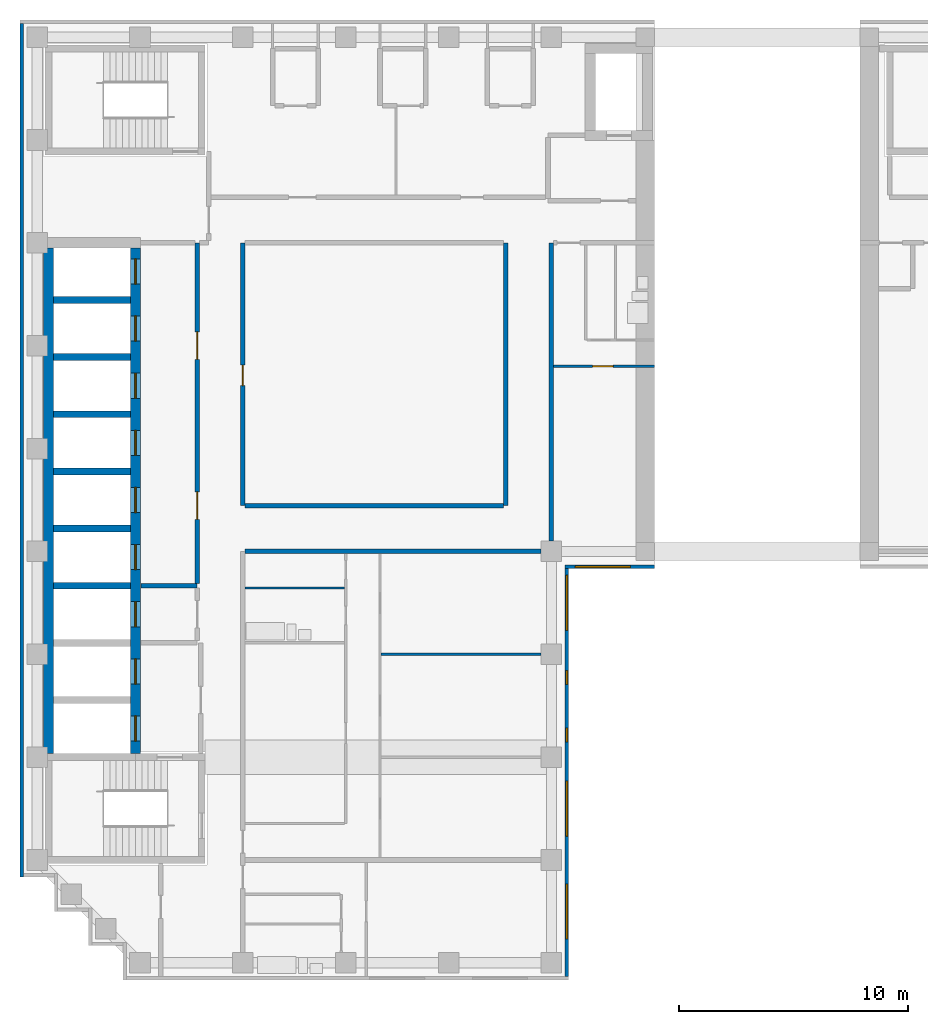
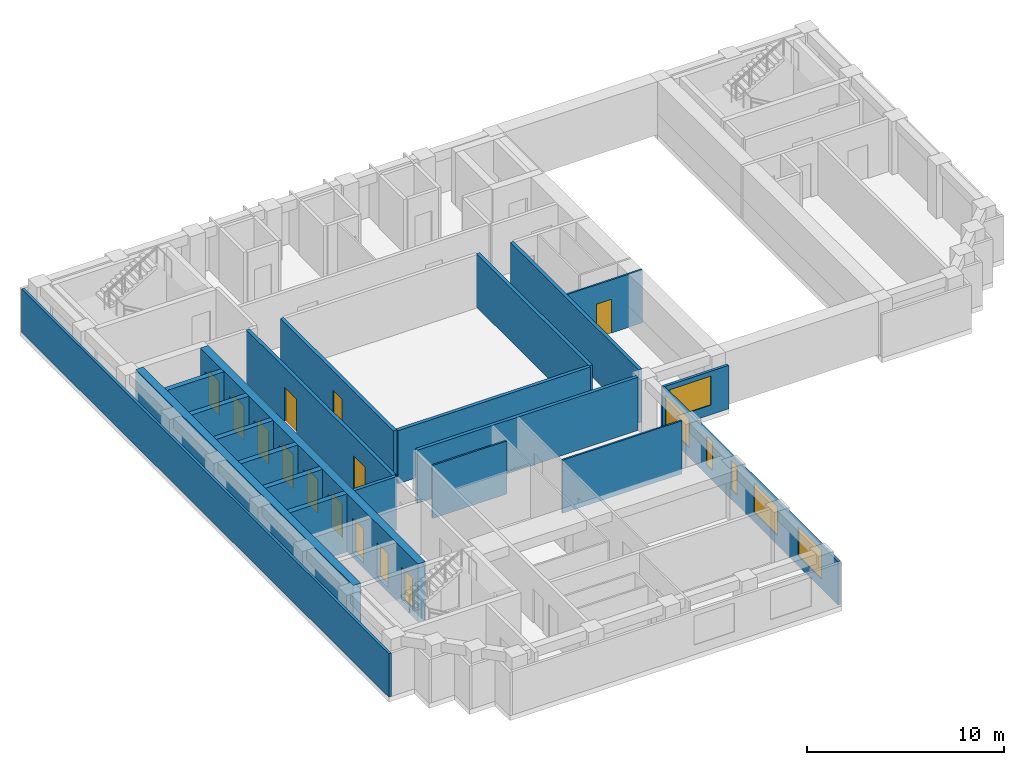
# One storey, part 3 of 7: 21 walls, 13 doors, 6 windows, 19 openings.
"""IFC4 building model written with IfcOpenShell, lengths in metres."""

from ifc_helpers import new_model, si_unit, direction, frame, frame_2d, origin, place, context, subcontext, project, spatial, rectangle, extrude, material, layer, layer_set, type_object, element, fill, save


model = new_model("IFC4")

# Units and contexts
model_context = context("Model", 3, precision=1e-05, world=origin(), true_north=direction((0.0, 1.0)))
body_context = subcontext(model_context, "Body", "Model", "MODEL_VIEW")
ifc_project = project(units=[si_unit("LENGTHUNIT", "METRE"), si_unit("AREAUNIT", "SQUARE_METRE"), si_unit("VOLUMEUNIT", "CUBIC_METRE"), si_unit("PLANEANGLEUNIT", "RADIAN"), si_unit("MASSUNIT", "GRAM", prefix="KILO")], contexts=[model_context])

# Site, building, storey
site_placement = place(None, origin())
site = spatial("IfcSite", under=ifc_project, at=site_placement, CompositionType="ELEMENT")
building_placement = place(site_placement, origin())
building = spatial("IfcBuilding", under=site, at=building_placement, Name="Firuza Court", CompositionType="ELEMENT")
storey_placement = place(building_placement, frame((0.0, 0.0, 247.39990234375)))
storey = spatial("IfcBuildingStorey", under=building, at=storey_placement, Name="L64", CompositionType="ELEMENT", Elevation=247.39990234375)

# Walls
ifc_material_1 = material(Name="Moisture-resistant gypsum board partition")
ifc_layer_1 = layer(ifc_material_1, 0.10009765625)
ifc_layer_set_1 = layer_set([ifc_layer_1], Name="Moisture-resistant gypsum board partition")
wall_type_1 = type_object("IfcWallType", Name="Bathroom partition 100", PredefinedType="PLUMBINGWALL", material=ifc_layer_set_1)
wall_1_placement = place(storey_placement, frame((9.10009765625, 34.39990234375, 0.0), z_axis=(0.0, 0.0, 1.0), x_axis=(1.0, 0.0, 0.0)))
element("IfcWall", 1, at=wall_1_placement, inside=storey, type_object=wall_type_1, Name="Bathroom partition 100 L64", PredefinedType="PLUMBINGWALL", context=body_context, shape_type="SweptSolid", body=[
    extrude(rectangle(XDim=4.349853515625, YDim=0.10009765625, at=frame_2d((2.1748046875, 0.0))), origin(), (0.0, 0.0, 1.0), 3.300048828125),
])
ifc_material_2 = material(Name="Concrete C50/60", Category="concrete")
ifc_layer_2 = layer(ifc_material_2, 0.300048828125)
ifc_layer_set_2 = layer_set([ifc_layer_2], Name="Concrete C50/60")
wall_type_2 = type_object("IfcWallType", Name="Core wall 300 C50/60", PredefinedType="SHEAR", material=ifc_layer_set_2)
for number, where, z_axis, x_axis, name in (
    (2, (0.72509765625, 34.5, -0.2998046875), (0.0, 0.0, 1.0), (1.0, 0.0, 0.0), "Core wall lift shaft L64"),
    (3, (0.72509765625, 37.0, -0.2998046875), (0.0, 0.0, 1.0), (1.0, 0.0, 0.0), "Core wall lift shaft L64"),
    (4, (0.72509765625, 39.5, -0.2998046875), (0.0, 0.0, 1.0), (1.0, 0.0, 0.0), "Core wall lift shaft L64"),
    (5, (0.72509765625, 42.0, -0.2998046875), (0.0, 0.0, 1.0), (1.0, 0.0, 0.0), "Core wall lift shaft L64"),
    (6, (0.72509765625, 44.5, -0.2998046875), (0.0, 0.0, 1.0), (1.0, 0.0, 0.0), "Core wall lift shaft L64"),
    (7, (0.72509765625, 47.0, -0.2998046875), (0.0, 0.0, 1.0), (1.0, 0.0, 0.0), "Core wall lift shaft L64"),
):
    element("IfcWall", number, at=place(storey_placement, frame(where, z_axis=z_axis, x_axis=x_axis)), inside=storey, type_object=wall_type_2, Name=name, PredefinedType="SHEAR", context=body_context, shape_type="SweptSolid", body=[
        extrude(rectangle(XDim=3.349853515625, YDim=0.300048828125, at=frame_2d((1.6748046875, 0.0))), origin(), (0.0, 0.0, 1.0), 3.599853515625),
    ])
ifc_layer_3 = layer(ifc_material_2, 0.449951171875)
ifc_layer_set_3 = layer_set([ifc_layer_3], Name="Concrete C50/60")
wall_type_3 = type_object("IfcWallType", Name="Core wall 450 C50/60", PredefinedType="SHEAR", material=ifc_layer_set_3)
wall_2_placement = place(storey_placement, frame((0.5, 27.14990234375, -0.2998046875), z_axis=(0.0, 0.0, 1.0), x_axis=(0.0, 1.0, 0.0)))
element("IfcWall", 8, at=wall_2_placement, inside=storey, type_object=wall_type_3, Name="Core wall lift shaft L64", PredefinedType="SHEAR", context=body_context, shape_type="SweptSolid", body=[
    extrude(rectangle(XDim=22.125, YDim=0.449951171875, at=frame_2d((11.0625, 0.0))), origin(), (0.0, 0.0, 1.0), 3.599853515625),
])

# Wall, openings, doors
wall_3_placement = place(storey_placement, frame((4.300048828125, 27.14990234375, -0.2998046875), z_axis=(0.0, 0.0, 1.0), x_axis=(0.0, 1.0, 0.0)))
wall_3 = element("IfcWall", 9, at=wall_3_placement, inside=storey, type_object=wall_type_3, Name="Core wall lift shaft L64", PredefinedType="SHEAR", context=body_context, shape_type="SweptSolid", body=[
    extrude(rectangle(XDim=22.125, YDim=0.449951171875, at=frame_2d((11.0625, 0.0))), origin(), (0.0, 0.0, 1.0), 3.599853515625),
])
opening_1_placement = place(wall_3_placement, frame((3.050048828125, 0.0, 0.300048828125)))
opening_1 = element("IfcOpeningElement", 10, at=opening_1_placement, cuts=wall_3, Name="Opening LD-FL1-64", PredefinedType="OPENING", context=body_context, shape_type="SweptSolid", body=[
    extrude(rectangle(XDim=1.10009765625, YDim=2.10009765625, at=frame_2d((0.550048828125, 1.050048828125))), frame((0.0, 0.23681640625, 0.0), z_axis=(0.0, -1.0, 0.0), x_axis=(1.0, 0.0, 0.0)), (0.0, 0.0, 1.0), 0.473876953125),
])
opening_2_placement = place(wall_3_placement, frame((0.550048828125, 0.0, 0.300048828125)))
opening_2 = element("IfcOpeningElement", 11, at=opening_2_placement, cuts=wall_3, Name="Opening LD-FL2-64", PredefinedType="OPENING", context=body_context, shape_type="SweptSolid", body=[
    extrude(rectangle(XDim=1.10009765625, YDim=2.10009765625, at=frame_2d((0.550048828125, 1.050048828125))), frame((0.0, 0.23681640625, 0.0), z_axis=(0.0, -1.0, 0.0), x_axis=(1.0, 0.0, 0.0)), (0.0, 0.0, 1.0), 0.473876953125),
])
opening_3_placement = place(wall_3_placement, frame((20.550048828125, 0.0, 0.300048828125)))
opening_3 = element("IfcOpeningElement", 12, at=opening_3_placement, cuts=wall_3, Name="Opening LD-HB1-64", PredefinedType="OPENING", context=body_context, shape_type="SweptSolid", body=[
    extrude(rectangle(XDim=1.10009765625, YDim=2.10009765625, at=frame_2d((0.550048828125, 1.050048828125))), frame((0.0, 0.23681640625, 0.0), z_axis=(0.0, -1.0, 0.0), x_axis=(1.0, 0.0, 0.0)), (0.0, 0.0, 1.0), 0.473876953125),
])
opening_4_placement = place(wall_3_placement, frame((18.050048828125, 0.0, 0.300048828125)))
opening_4 = element("IfcOpeningElement", 13, at=opening_4_placement, cuts=wall_3, Name="Opening LD-HB2-64", PredefinedType="OPENING", context=body_context, shape_type="SweptSolid", body=[
    extrude(rectangle(XDim=1.10009765625, YDim=2.10009765625, at=frame_2d((0.550048828125, 1.050048828125))), frame((0.0, 0.23681640625, 0.0), z_axis=(0.0, -1.0, 0.0), x_axis=(1.0, 0.0, 0.0)), (0.0, 0.0, 1.0), 0.473876953125),
])
opening_5_placement = place(wall_3_placement, frame((15.550048828125, 0.0, 0.300048828125)))
opening_5 = element("IfcOpeningElement", 14, at=opening_5_placement, cuts=wall_3, Name="Opening LD-HB3-64", PredefinedType="OPENING", context=body_context, shape_type="SweptSolid", body=[
    extrude(rectangle(XDim=1.10009765625, YDim=2.10009765625, at=frame_2d((0.550048828125, 1.050048828125))), frame((0.0, 0.23681640625, 0.0), z_axis=(0.0, -1.0, 0.0), x_axis=(1.0, 0.0, 0.0)), (0.0, 0.0, 1.0), 0.473876953125),
])
opening_6_placement = place(wall_3_placement, frame((13.050048828125, 0.0, 0.300048828125)))
opening_6 = element("IfcOpeningElement", 15, at=opening_6_placement, cuts=wall_3, Name="Opening LD-HB4-64", PredefinedType="OPENING", context=body_context, shape_type="SweptSolid", body=[
    extrude(rectangle(XDim=1.10009765625, YDim=2.10009765625, at=frame_2d((0.550048828125, 1.050048828125))), frame((0.0, 0.23681640625, 0.0), z_axis=(0.0, -1.0, 0.0), x_axis=(1.0, 0.0, 0.0)), (0.0, 0.0, 1.0), 0.473876953125),
])
opening_7_placement = place(wall_3_placement, frame((10.550048828125, 0.0, 0.300048828125)))
opening_7 = element("IfcOpeningElement", 16, at=opening_7_placement, cuts=wall_3, Name="Opening LD-HB5-64", PredefinedType="OPENING", context=body_context, shape_type="SweptSolid", body=[
    extrude(rectangle(XDim=1.10009765625, YDim=2.10009765625, at=frame_2d((0.550048828125, 1.050048828125))), frame((0.0, 0.23681640625, 0.0), z_axis=(0.0, -1.0, 0.0), x_axis=(1.0, 0.0, 0.0)), (0.0, 0.0, 1.0), 0.473876953125),
])
opening_8_placement = place(wall_3_placement, frame((8.050048828125, 0.0, 0.300048828125)))
opening_8 = element("IfcOpeningElement", 17, at=opening_8_placement, cuts=wall_3, Name="Opening LD-HB6-64", PredefinedType="OPENING", context=body_context, shape_type="SweptSolid", body=[
    extrude(rectangle(XDim=1.10009765625, YDim=2.10009765625, at=frame_2d((0.550048828125, 1.050048828125))), frame((0.0, 0.23681640625, 0.0), z_axis=(0.0, -1.0, 0.0), x_axis=(1.0, 0.0, 0.0)), (0.0, 0.0, 1.0), 0.473876953125),
])
opening_9_placement = place(wall_3_placement, frame((5.550048828125, 0.0, 0.300048828125)))
opening_9 = element("IfcOpeningElement", 18, at=opening_9_placement, cuts=wall_3, Name="Opening LD-SL1-64", PredefinedType="OPENING", context=body_context, shape_type="SweptSolid", body=[
    extrude(rectangle(XDim=1.10009765625, YDim=2.10009765625, at=frame_2d((0.550048828125, 1.050048828125))), frame((0.0, 0.23681640625, 0.0), z_axis=(0.0, -1.0, 0.0), x_axis=(1.0, 0.0, 0.0)), (0.0, 0.0, 1.0), 0.473876953125),
])
ifc_material_3 = material(Name="Stainless steel 1.4301 door leaf", Category="steel")
door_type_1 = type_object("IfcDoorType", Name="Lift landing door 1100", OperationType="SLIDING_TO_LEFT", PredefinedType="DOOR", material=ifc_material_3)
door_1_placement = place(opening_1_placement, origin())
door_1 = element("IfcDoor", 19, at=door_1_placement, inside=storey, type_object=door_type_1, Name="Landing door FL1", OperationType="SLIDING_TO_LEFT", OverallHeight=2.10009765625, OverallWidth=1.10009765625, PredefinedType="DOOR", context=body_context, shape_type="SweptSolid", body=[
    extrude(rectangle(XDim=1.10009765625, YDim=2.10009765625, at=frame_2d((0.550048828125, 1.050048828125))), frame((0.0, 0.02490234375, 0.0), z_axis=(0.0, -1.0, 0.0), x_axis=(1.0, 0.0, 0.0)), (0.0, 0.0, 1.0), 0.050048828125),
])
fill(opening_1, door_1)
door_2_placement = place(opening_2_placement, origin())
door_2 = element("IfcDoor", 20, at=door_2_placement, inside=storey, type_object=door_type_1, Name="Landing door FL2", OperationType="SLIDING_TO_LEFT", OverallHeight=2.10009765625, OverallWidth=1.10009765625, PredefinedType="DOOR", context=body_context, shape_type="SweptSolid", body=[
    extrude(rectangle(XDim=1.10009765625, YDim=2.10009765625, at=frame_2d((0.550048828125, 1.050048828125))), frame((0.0, 0.02490234375, 0.0), z_axis=(0.0, -1.0, 0.0), x_axis=(1.0, 0.0, 0.0)), (0.0, 0.0, 1.0), 0.050048828125),
])
fill(opening_2, door_2)
door_3_placement = place(opening_3_placement, origin())
door_3 = element("IfcDoor", 21, at=door_3_placement, inside=storey, type_object=door_type_1, Name="Landing door HB1", OperationType="SLIDING_TO_LEFT", OverallHeight=2.10009765625, OverallWidth=1.10009765625, PredefinedType="DOOR", context=body_context, shape_type="SweptSolid", body=[
    extrude(rectangle(XDim=1.10009765625, YDim=2.10009765625, at=frame_2d((0.550048828125, 1.050048828125))), frame((0.0, 0.02490234375, 0.0), z_axis=(0.0, -1.0, 0.0), x_axis=(1.0, 0.0, 0.0)), (0.0, 0.0, 1.0), 0.050048828125),
])
fill(opening_3, door_3)
door_4_placement = place(opening_4_placement, origin())
door_4 = element("IfcDoor", 22, at=door_4_placement, inside=storey, type_object=door_type_1, Name="Landing door HB2", OperationType="SLIDING_TO_LEFT", OverallHeight=2.10009765625, OverallWidth=1.10009765625, PredefinedType="DOOR", context=body_context, shape_type="SweptSolid", body=[
    extrude(rectangle(XDim=1.10009765625, YDim=2.10009765625, at=frame_2d((0.550048828125, 1.050048828125))), frame((0.0, 0.02490234375, 0.0), z_axis=(0.0, -1.0, 0.0), x_axis=(1.0, 0.0, 0.0)), (0.0, 0.0, 1.0), 0.050048828125),
])
fill(opening_4, door_4)
door_5_placement = place(opening_5_placement, origin())
door_5 = element("IfcDoor", 23, at=door_5_placement, inside=storey, type_object=door_type_1, Name="Landing door HB3", OperationType="SLIDING_TO_LEFT", OverallHeight=2.10009765625, OverallWidth=1.10009765625, PredefinedType="DOOR", context=body_context, shape_type="SweptSolid", body=[
    extrude(rectangle(XDim=1.10009765625, YDim=2.10009765625, at=frame_2d((0.550048828125, 1.050048828125))), frame((0.0, 0.02490234375, 0.0), z_axis=(0.0, -1.0, 0.0), x_axis=(1.0, 0.0, 0.0)), (0.0, 0.0, 1.0), 0.050048828125),
])
fill(opening_5, door_5)
door_6_placement = place(opening_6_placement, origin())
door_6 = element("IfcDoor", 24, at=door_6_placement, inside=storey, type_object=door_type_1, Name="Landing door HB4", OperationType="SLIDING_TO_LEFT", OverallHeight=2.10009765625, OverallWidth=1.10009765625, PredefinedType="DOOR", context=body_context, shape_type="SweptSolid", body=[
    extrude(rectangle(XDim=1.10009765625, YDim=2.10009765625, at=frame_2d((0.550048828125, 1.050048828125))), frame((0.0, 0.02490234375, 0.0), z_axis=(0.0, -1.0, 0.0), x_axis=(1.0, 0.0, 0.0)), (0.0, 0.0, 1.0), 0.050048828125),
])
fill(opening_6, door_6)
door_7_placement = place(opening_7_placement, origin())
door_7 = element("IfcDoor", 25, at=door_7_placement, inside=storey, type_object=door_type_1, Name="Landing door HB5", OperationType="SLIDING_TO_LEFT", OverallHeight=2.10009765625, OverallWidth=1.10009765625, PredefinedType="DOOR", context=body_context, shape_type="SweptSolid", body=[
    extrude(rectangle(XDim=1.10009765625, YDim=2.10009765625, at=frame_2d((0.550048828125, 1.050048828125))), frame((0.0, 0.02490234375, 0.0), z_axis=(0.0, -1.0, 0.0), x_axis=(1.0, 0.0, 0.0)), (0.0, 0.0, 1.0), 0.050048828125),
])
fill(opening_7, door_7)
door_8_placement = place(opening_8_placement, origin())
door_8 = element("IfcDoor", 26, at=door_8_placement, inside=storey, type_object=door_type_1, Name="Landing door HB6", OperationType="SLIDING_TO_LEFT", OverallHeight=2.10009765625, OverallWidth=1.10009765625, PredefinedType="DOOR", context=body_context, shape_type="SweptSolid", body=[
    extrude(rectangle(XDim=1.10009765625, YDim=2.10009765625, at=frame_2d((0.550048828125, 1.050048828125))), frame((0.0, 0.02490234375, 0.0), z_axis=(0.0, -1.0, 0.0), x_axis=(1.0, 0.0, 0.0)), (0.0, 0.0, 1.0), 0.050048828125),
])
fill(opening_8, door_8)
door_9_placement = place(opening_9_placement, origin())
door_9 = element("IfcDoor", 27, at=door_9_placement, inside=storey, type_object=door_type_1, Name="Landing door SL1", OperationType="SLIDING_TO_LEFT", OverallHeight=2.10009765625, OverallWidth=1.10009765625, PredefinedType="DOOR", context=body_context, shape_type="SweptSolid", body=[
    extrude(rectangle(XDim=1.10009765625, YDim=2.10009765625, at=frame_2d((0.550048828125, 1.050048828125))), frame((0.0, 0.02490234375, 0.0), z_axis=(0.0, -1.0, 0.0), x_axis=(1.0, 0.0, 0.0)), (0.0, 0.0, 1.0), 0.050048828125),
])
fill(opening_9, door_9)

# Wall, opening, door
ifc_material_4 = material(Name="Blockwork, plastered both sides", Category="masonry")
ifc_layer_4 = layer(ifc_material_4, 0.199951171875)
ifc_layer_set_4 = layer_set([ifc_layer_4], Name="Blockwork, plastered both sides")
wall_type_4 = type_object("IfcWallType", Name="Corridor wall 200", PredefinedType="PARTITIONING", material=ifc_layer_set_4)
wall_4_placement = place(storey_placement, frame((9.0, 38.0, 0.0), z_axis=(0.0, 0.0, 1.0), x_axis=(0.0, 1.0, 0.0)))
wall_4 = element("IfcWall", 28, at=wall_4_placement, inside=storey, type_object=wall_type_4, Name="Corridor wall 200 L64", PredefinedType="PARTITIONING", context=body_context, shape_type="SweptSolid", body=[
    extrude(rectangle(XDim=11.5, YDim=0.199951171875, at=frame_2d((5.75, 0.0))), origin(), (0.0, 0.0, 1.0), 3.300048828125),
])
opening_10_placement = place(wall_4_placement, frame((5.25, 0.0, 0.0)))
opening_10 = element("IfcOpeningElement", 29, at=opening_10_placement, cuts=wall_4, Name="Opening D64024", PredefinedType="OPENING", context=body_context, shape_type="SweptSolid", body=[
    extrude(rectangle(XDim=0.89990234375, YDim=2.10009765625, at=frame_2d((0.449951171875, 1.050048828125))), frame((0.0, 0.11181640625, 0.0), z_axis=(0.0, -1.0, 0.0), x_axis=(1.0, 0.0, 0.0)), (0.0, 0.0, 1.0), 0.223876953125),
])
ifc_material_5 = material(Name="Timber door leaf in hardwood frame", Category="wood")
door_type_2 = type_object("IfcDoorType", Name="Room door 900 EI 30", OperationType="SINGLE_SWING_LEFT", PredefinedType="DOOR", material=ifc_material_5)
door_10_placement = place(opening_10_placement, origin())
door_10 = element("IfcDoor", 30, at=door_10_placement, inside=storey, type_object=door_type_2, Name="Residents' club lounge door", OperationType="SINGLE_SWING_LEFT", OverallHeight=2.10009765625, OverallWidth=0.89990234375, PredefinedType="DOOR", context=body_context, shape_type="SweptSolid", body=[
    extrude(rectangle(XDim=0.89990234375, YDim=2.10009765625, at=frame_2d((0.449951171875, 1.050048828125))), frame((0.0, 0.02490234375, 0.0), z_axis=(0.0, -1.0, 0.0), x_axis=(1.0, 0.0, 0.0)), (0.0, 0.0, 1.0), 0.050048828125),
])
fill(opening_10, door_10)

# Walls
wall_5_placement = place(storey_placement, frame((9.10009765625, 38.0, 0.0), z_axis=(0.0, 0.0, 1.0), x_axis=(1.0, 0.0, 0.0)))
element("IfcWall", 31, at=wall_5_placement, inside=storey, type_object=wall_type_4, Name="Corridor wall 200 L64", PredefinedType="PARTITIONING", context=body_context, shape_type="SweptSolid", body=[
    extrude(rectangle(XDim=11.2998046875, YDim=0.199951171875, at=frame_2d((5.64990234375, 0.0))), origin(), (0.0, 0.0, 1.0), 3.300048828125),
])
wall_6_placement = place(storey_placement, frame((20.5, 38.0, 0.0), z_axis=(0.0, 0.0, 1.0), x_axis=(0.0, 1.0, 0.0)))
element("IfcWall", 32, at=wall_6_placement, inside=storey, type_object=wall_type_4, Name="Corridor wall 200 L64", PredefinedType="PARTITIONING", context=body_context, shape_type="SweptSolid", body=[
    extrude(rectangle(XDim=11.5, YDim=0.199951171875, at=frame_2d((5.75, 0.0))), origin(), (0.0, 0.0, 1.0), 3.300048828125),
])
ifc_material_6 = material(Name="Timber stud partition, plasterboard both sides", Category="wood")
ifc_layer_5 = layer(ifc_material_6, 0.10009765625)
ifc_layer_set_5 = layer_set([ifc_layer_5], Name="Timber stud partition, plasterboard both sides")
wall_type_5 = type_object("IfcWallType", Name="Partition wall 100", PredefinedType="PARTITIONING", material=ifc_layer_set_5)
wall_7_placement = place(storey_placement, frame((15.050048828125, 31.5, 0.0), z_axis=(0.0, 0.0, 1.0), x_axis=(1.0, 0.0, 0.0)))
element("IfcWall", 33, at=wall_7_placement, inside=storey, type_object=wall_type_5, Name="Partition wall 100 L64", PredefinedType="PARTITIONING", context=body_context, shape_type="SweptSolid", body=[
    extrude(rectangle(XDim=7.0, YDim=0.10009765625, at=frame_2d((3.5, 0.0))), origin(), (0.0, 0.0, 1.0), 3.300048828125),
])

# Wall, opening, door
wall_8_placement = place(storey_placement, frame((22.60009765625, 44.10009765625, 0.0), z_axis=(0.0, 0.0, 1.0), x_axis=(1.0, 0.0, 0.0)))
wall_8 = element("IfcWall", 34, at=wall_8_placement, inside=storey, type_object=wall_type_5, Name="Partition wall 100 L64", PredefinedType="PARTITIONING", context=body_context, shape_type="SweptSolid", body=[
    extrude(rectangle(XDim=4.39990234375, YDim=0.10009765625, at=frame_2d((2.199951171875, 0.0))), origin(), (0.0, 0.0, 1.0), 3.300048828125),
])
opening_11_placement = place(wall_8_placement, frame((1.699951171875, 0.0, 0.0)))
opening_11 = element("IfcOpeningElement", 35, at=opening_11_placement, cuts=wall_8, Name="Opening D64025", PredefinedType="OPENING", context=body_context, shape_type="SweptSolid", body=[
    extrude(rectangle(XDim=0.89990234375, YDim=2.10009765625, at=frame_2d((0.449951171875, 1.050048828125))), frame((0.0, 0.06201171875, 0.0), z_axis=(0.0, -1.0, 0.0), x_axis=(1.0, 0.0, 0.0)), (0.0, 0.0, 1.0), 0.1240234375),
])
ifc_material_7 = material(Name="Timber door leaf in hardwood frame", Category="wood")
door_type_3 = type_object("IfcDoorType", Name="Room door 900", OperationType="SINGLE_SWING_LEFT", PredefinedType="DOOR", material=ifc_material_7)
door_11_placement = place(opening_11_placement, frame((0.89990234375, 0.0, 0.0), z_axis=(0.0, 0.0, 1.0), x_axis=(-1.0, 0.0, 0.0)))
door_11 = element("IfcDoor", 36, at=door_11_placement, inside=storey, type_object=door_type_3, Name="Studio room door", OperationType="SINGLE_SWING_LEFT", OverallHeight=2.10009765625, OverallWidth=0.89990234375, PredefinedType="DOOR", context=body_context, shape_type="SweptSolid", body=[
    extrude(rectangle(XDim=0.89990234375, YDim=2.10009765625, at=frame_2d((0.449951171875, 1.050048828125))), frame((0.0, 0.02490234375, 0.0), z_axis=(0.0, -1.0, 0.0), x_axis=(1.0, 0.0, 0.0)), (0.0, 0.0, 1.0), 0.050048828125),
])
fill(opening_11, door_11)

# Walls
ifc_layer_6 = layer(ifc_material_4, 0.199951171875)
ifc_layer_set_6 = layer_set([ifc_layer_6], Name="Blockwork, plastered both sides")
wall_type_6 = type_object("IfcWallType", Name="Party wall 200", PredefinedType="PARTITIONING", material=ifc_layer_set_6)
wall_9_placement = place(storey_placement, frame((9.10009765625, 36.0, 0.0), z_axis=(0.0, 0.0, 1.0), x_axis=(1.0, 0.0, 0.0)))
element("IfcWall", 37, at=wall_9_placement, inside=storey, type_object=wall_type_6, Name="Party wall 200 L64", PredefinedType="PARTITIONING", context=body_context, shape_type="SweptSolid", body=[
    extrude(rectangle(XDim=12.949951171875, YDim=0.199951171875, at=frame_2d((6.47509765625, 0.0))), origin(), (0.0, 0.0, 1.0), 3.300048828125),
])
wall_10_placement = place(storey_placement, frame((22.5, 36.449951171875, 0.0), z_axis=(0.0, 0.0, 1.0), x_axis=(0.0, 1.0, 0.0)))
element("IfcWall", 38, at=wall_10_placement, inside=storey, type_object=wall_type_6, Name="Party wall 200 L64", PredefinedType="PARTITIONING", context=body_context, shape_type="SweptSolid", body=[
    extrude(rectangle(XDim=13.050048828125, YDim=0.199951171875, at=frame_2d((6.52490234375, 0.0))), origin(), (0.0, 0.0, 1.0), 3.300048828125),
])

# Wall, openings, windows
ifc_material_8 = material(Name="Ceramic tile", Category="ceramic")
ifc_layer_7 = layer(ifc_material_8, 0.02001953125)
ifc_material_9 = material(Name="Mineral wool insulation", Category="insulation")
ifc_layer_8 = layer(ifc_material_9, 0.050048828125)
ifc_material_10 = material(Name="Concrete C40/50 precast", Category="concrete")
ifc_layer_9 = layer(ifc_material_10, 0.080078125)
ifc_layer_set_7 = layer_set([ifc_layer_7, ifc_layer_8, ifc_layer_9], Name="Concrete C40/50 precast")
wall_type_7 = type_object("IfcWallType", Name="Precast cladding wall with turquoise TILE PANEL face 150", PredefinedType="STANDARD", material=ifc_layer_set_7)
wall_11_placement = place(storey_placement, frame((23.175048828125, 17.39990234375, 0.0), z_axis=(0.0, 0.0, 1.0), x_axis=(0.0, 1.0, 0.0)))
wall_11 = element("IfcWall", 39, at=wall_11_placement, inside=storey, type_object=wall_type_7, Name="Facade wall L64 E", PredefinedType="STANDARD", context=body_context, shape_type="SweptSolid", body=[
    extrude(rectangle(XDim=17.85009765625, YDim=0.14990234375, at=frame_2d((8.925048828125, 0.0))), origin(), (0.0, 0.0, 1.0), 2.7001953125),
])
opening_12_placement = place(wall_11_placement, frame((1.64990234375, 0.0, 0.60009765625)))
opening_12 = element("IfcOpeningElement", 40, at=opening_12_placement, cuts=wall_11, Name="Opening W1", PredefinedType="OPENING", context=body_context, shape_type="SweptSolid", body=[
    extrude(rectangle(XDim=2.39990234375, YDim=1.800048828125, at=frame_2d((1.199951171875, 0.89990234375))), frame((0.0, 0.0869140625, 0.0), z_axis=(0.0, -1.0, 0.0), x_axis=(1.0, 0.0, 0.0)), (0.0, 0.0, 1.0), 0.173828125),
])
opening_13_placement = place(wall_11_placement, frame((6.14990234375, 0.0, 0.60009765625)))
opening_13 = element("IfcOpeningElement", 41, at=opening_13_placement, cuts=wall_11, Name="Opening W1", PredefinedType="OPENING", context=body_context, shape_type="SweptSolid", body=[
    extrude(rectangle(XDim=2.39990234375, YDim=1.800048828125, at=frame_2d((1.199951171875, 0.89990234375))), frame((0.0, 0.0869140625, 0.0), z_axis=(0.0, -1.0, 0.0), x_axis=(1.0, 0.0, 0.0)), (0.0, 0.0, 1.0), 0.173828125),
])
opening_14_placement = place(wall_11_placement, frame((10.273193359375, 0.0, 0.60009765625)))
opening_14 = element("IfcOpeningElement", 42, at=opening_14_placement, cuts=wall_11, Name="Opening W4", PredefinedType="OPENING", context=body_context, shape_type="SweptSolid", body=[
    extrude(rectangle(XDim=0.60009765625, YDim=1.800048828125, at=frame_2d((0.300048828125, 0.89990234375))), frame((0.0, 0.0869140625, 0.0), z_axis=(0.0, -1.0, 0.0), x_axis=(1.0, 0.0, 0.0)), (0.0, 0.0, 1.0), 0.173828125),
])
opening_15_placement = place(wall_11_placement, frame((12.77978515625, 0.0, 0.60009765625)))
opening_15 = element("IfcOpeningElement", 43, at=opening_15_placement, cuts=wall_11, Name="Opening W4", PredefinedType="OPENING", context=body_context, shape_type="SweptSolid", body=[
    extrude(rectangle(XDim=0.60009765625, YDim=1.800048828125, at=frame_2d((0.300048828125, 0.89990234375))), frame((0.0, 0.0869140625, 0.0), z_axis=(0.0, -1.0, 0.0), x_axis=(1.0, 0.0, 0.0)), (0.0, 0.0, 1.0), 0.173828125),
])
opening_16_placement = place(wall_11_placement, frame((15.14990234375, 0.0, 0.60009765625)))
opening_16 = element("IfcOpeningElement", 44, at=opening_16_placement, cuts=wall_11, Name="Opening W1", PredefinedType="OPENING", context=body_context, shape_type="SweptSolid", body=[
    extrude(rectangle(XDim=2.39990234375, YDim=1.800048828125, at=frame_2d((1.199951171875, 0.89990234375))), frame((0.0, 0.0869140625, 0.0), z_axis=(0.0, -1.0, 0.0), x_axis=(1.0, 0.0, 0.0)), (0.0, 0.0, 1.0), 0.173828125),
])
ifc_material_11 = material(Name="Aluminium frame, triple clear glazing", Category="aluminium")
window_type_1 = type_object("IfcWindowType", Name="Window W1 2400 x 1800", PartitioningType="SINGLE_PANEL", PredefinedType="WINDOW", material=ifc_material_11)
window_1_placement = place(opening_12_placement, origin())
window_1 = element("IfcWindow", 45, at=window_1_placement, inside=storey, type_object=window_type_1, Name="Window L64", OverallHeight=1.800048828125, OverallWidth=2.39990234375, PartitioningType="SINGLE_PANEL", PredefinedType="WINDOW", context=body_context, shape_type="SweptSolid", body=[
    extrude(rectangle(XDim=2.39990234375, YDim=1.800048828125, at=frame_2d((1.199951171875, 0.89990234375))), frame((0.0, 0.030029296875, 0.0), z_axis=(0.0, -1.0, 0.0), x_axis=(1.0, 0.0, 0.0)), (0.0, 0.0, 1.0), 0.06005859375),
])
fill(opening_12, window_1)
window_2_placement = place(opening_13_placement, origin())
window_2 = element("IfcWindow", 46, at=window_2_placement, inside=storey, type_object=window_type_1, Name="Window L64", OverallHeight=1.800048828125, OverallWidth=2.39990234375, PartitioningType="SINGLE_PANEL", PredefinedType="WINDOW", context=body_context, shape_type="SweptSolid", body=[
    extrude(rectangle(XDim=2.39990234375, YDim=1.800048828125, at=frame_2d((1.199951171875, 0.89990234375))), frame((0.0, 0.030029296875, 0.0), z_axis=(0.0, -1.0, 0.0), x_axis=(1.0, 0.0, 0.0)), (0.0, 0.0, 1.0), 0.06005859375),
])
fill(opening_13, window_2)
window_3_placement = place(opening_16_placement, origin())
window_3 = element("IfcWindow", 47, at=window_3_placement, inside=storey, type_object=window_type_1, Name="Window L64", OverallHeight=1.800048828125, OverallWidth=2.39990234375, PartitioningType="SINGLE_PANEL", PredefinedType="WINDOW", context=body_context, shape_type="SweptSolid", body=[
    extrude(rectangle(XDim=2.39990234375, YDim=1.800048828125, at=frame_2d((1.199951171875, 0.89990234375))), frame((0.0, 0.030029296875, 0.0), z_axis=(0.0, -1.0, 0.0), x_axis=(1.0, 0.0, 0.0)), (0.0, 0.0, 1.0), 0.06005859375),
])
fill(opening_16, window_3)
ifc_material_12 = material(Name="Aluminium frame, triple clear glazing", Category="aluminium")
window_type_2 = type_object("IfcWindowType", Name="Window W4 600 x 1800", PartitioningType="SINGLE_PANEL", PredefinedType="WINDOW", material=ifc_material_12)
window_4_placement = place(opening_14_placement, origin())
window_4 = element("IfcWindow", 48, at=window_4_placement, inside=storey, type_object=window_type_2, Name="Window L64", OverallHeight=1.800048828125, OverallWidth=0.60009765625, PartitioningType="SINGLE_PANEL", PredefinedType="WINDOW", context=body_context, shape_type="SweptSolid", body=[
    extrude(rectangle(XDim=0.60009765625, YDim=1.800048828125, at=frame_2d((0.300048828125, 0.89990234375))), frame((0.0, 0.030029296875, 0.0), z_axis=(0.0, -1.0, 0.0), x_axis=(1.0, 0.0, 0.0)), (0.0, 0.0, 1.0), 0.06005859375),
])
fill(opening_14, window_4)
window_5_placement = place(opening_15_placement, origin())
window_5 = element("IfcWindow", 49, at=window_5_placement, inside=storey, type_object=window_type_2, Name="Window L64", OverallHeight=1.800048828125, OverallWidth=0.60009765625, PartitioningType="SINGLE_PANEL", PredefinedType="WINDOW", context=body_context, shape_type="SweptSolid", body=[
    extrude(rectangle(XDim=0.60009765625, YDim=1.800048828125, at=frame_2d((0.300048828125, 0.89990234375))), frame((0.0, 0.030029296875, 0.0), z_axis=(0.0, -1.0, 0.0), x_axis=(1.0, 0.0, 0.0)), (0.0, 0.0, 1.0), 0.06005859375),
])
fill(opening_15, window_5)

# Wall, opening, window
wall_12_placement = place(storey_placement, frame((23.10009765625, 35.324951171875, 0.0), z_axis=(0.0, 0.0, 1.0), x_axis=(1.0, 0.0, 0.0)))
wall_12 = element("IfcWall", 50, at=wall_12_placement, inside=storey, type_object=wall_type_7, Name="Facade wall L64 S", PredefinedType="STANDARD", context=body_context, shape_type="SweptSolid", body=[
    extrude(rectangle(XDim=3.89990234375, YDim=0.14990234375, at=frame_2d((1.949951171875, 0.0))), origin(), (0.0, 0.0, 1.0), 2.7001953125),
])
opening_17_placement = place(wall_12_placement, frame((0.449951171875, 0.0, 0.60009765625)))
opening_17 = element("IfcOpeningElement", 51, at=opening_17_placement, cuts=wall_12, Name="Opening W1", PredefinedType="OPENING", context=body_context, shape_type="SweptSolid", body=[
    extrude(rectangle(XDim=2.39990234375, YDim=1.800048828125, at=frame_2d((1.199951171875, 0.89990234375))), frame((0.0, 0.0869140625, 0.0), z_axis=(0.0, -1.0, 0.0), x_axis=(1.0, 0.0, 0.0)), (0.0, 0.0, 1.0), 0.173828125),
])
window_6_placement = place(opening_17_placement, origin())
window_6 = element("IfcWindow", 52, at=window_6_placement, inside=storey, type_object=window_type_1, Name="Window L64", OverallHeight=1.800048828125, OverallWidth=2.39990234375, PartitioningType="SINGLE_PANEL", PredefinedType="WINDOW", context=body_context, shape_type="SweptSolid", body=[
    extrude(rectangle(XDim=2.39990234375, YDim=1.800048828125, at=frame_2d((1.199951171875, 0.89990234375))), frame((0.0, 0.030029296875, 0.0), z_axis=(0.0, -1.0, 0.0), x_axis=(1.0, 0.0, 0.0)), (0.0, 0.0, 1.0), 0.06005859375),
])
fill(opening_17, window_6)

# Walls
wall_13_placement = place(storey_placement, frame((-0.675048828125, 59.10009765625, 0.0), z_axis=(0.0, 0.0, 1.0), x_axis=(0.0, -1.0, 0.0)))
element("IfcWall", 53, at=wall_13_placement, inside=storey, type_object=wall_type_7, Name="Facade wall L64 W", PredefinedType="STANDARD", context=body_context, shape_type="SweptSolid", body=[
    extrude(rectangle(XDim=37.35009765625, YDim=0.14990234375, at=frame_2d((18.675048828125, 0.0))), origin(), (0.0, 0.0, 1.0), 2.7001953125),
])
ifc_material_13 = material(Name="Blockwork, fire-rated", Category="masonry")
ifc_layer_10 = layer(ifc_material_13, 0.199951171875)
ifc_layer_set_8 = layer_set([ifc_layer_10], Name="Blockwork, fire-rated")
wall_type_8 = type_object("IfcWallType", Name="Shaft wall 200", PredefinedType="PARTITIONING", material=ifc_layer_set_8)
wall_14_placement = place(storey_placement, frame((4.544921875, 34.5, 0.0), z_axis=(0.0, 0.0, 1.0), x_axis=(1.0, 0.0, 0.0)))
element("IfcWall", 54, at=wall_14_placement, inside=storey, type_object=wall_type_8, Name="Shaft wall 200 L64", PredefinedType="PARTITIONING", context=body_context, shape_type="SweptSolid", body=[
    extrude(rectangle(XDim=2.455078125, YDim=0.199951171875, at=frame_2d((1.2275390625, 0.0))), origin(), (0.0, 0.0, 1.0), 3.300048828125),
])

# Wall, openings, doors
wall_15_placement = place(storey_placement, frame((7.0, 34.60009765625, 0.0), z_axis=(0.0, 0.0, 1.0), x_axis=(0.0, 1.0, 0.0)))
wall_15 = element("IfcWall", 55, at=wall_15_placement, inside=storey, type_object=wall_type_8, Name="Shaft wall 200 L64", PredefinedType="PARTITIONING", context=body_context, shape_type="SweptSolid", body=[
    extrude(rectangle(XDim=14.89990234375, YDim=0.199951171875, at=frame_2d((7.449951171875, 0.0))), origin(), (0.0, 0.0, 1.0), 3.300048828125),
])
opening_18_placement = place(wall_15_placement, frame((2.800048828125, 0.0, 0.0)))
opening_18 = element("IfcOpeningElement", 56, at=opening_18_placement, cuts=wall_15, Name="Opening D64004", PredefinedType="OPENING", context=body_context, shape_type="SweptSolid", body=[
    extrude(rectangle(XDim=1.199951171875, YDim=2.10009765625, at=frame_2d((0.60009765625, 1.050048828125))), frame((0.0, 0.11181640625, 0.0), z_axis=(0.0, -1.0, 0.0), x_axis=(1.0, 0.0, 0.0)), (0.0, 0.0, 1.0), 0.223876953125),
])
opening_19_placement = place(wall_15_placement, frame((9.800048828125, 0.0, 0.0)))
opening_19 = element("IfcOpeningElement", 57, at=opening_19_placement, cuts=wall_15, Name="Opening D64005", PredefinedType="OPENING", context=body_context, shape_type="SweptSolid", body=[
    extrude(rectangle(XDim=1.199951171875, YDim=2.10009765625, at=frame_2d((0.60009765625, 1.050048828125))), frame((0.0, 0.11181640625, 0.0), z_axis=(0.0, -1.0, 0.0), x_axis=(1.0, 0.0, 0.0)), (0.0, 0.0, 1.0), 0.223876953125),
])
ifc_material_14 = material(Name="Timber door leaf in hardwood frame", Category="wood")
door_type_4 = type_object("IfcDoorType", Name="Lobby door 1200", OperationType="SINGLE_SWING_LEFT", PredefinedType="DOOR", material=ifc_material_14)
door_12_placement = place(opening_18_placement, origin())
door_12 = element("IfcDoor", 58, at=door_12_placement, inside=storey, type_object=door_type_4, Name="Lobby door", OperationType="SINGLE_SWING_LEFT", OverallHeight=2.10009765625, OverallWidth=1.199951171875, PredefinedType="DOOR", context=body_context, shape_type="SweptSolid", body=[
    extrude(rectangle(XDim=1.199951171875, YDim=2.10009765625, at=frame_2d((0.60009765625, 1.050048828125))), frame((0.0, 0.02490234375, 0.0), z_axis=(0.0, -1.0, 0.0), x_axis=(1.0, 0.0, 0.0)), (0.0, 0.0, 1.0), 0.050048828125),
])
fill(opening_18, door_12)
door_13_placement = place(opening_19_placement, origin())
door_13 = element("IfcDoor", 59, at=door_13_placement, inside=storey, type_object=door_type_4, Name="Lobby door", OperationType="SINGLE_SWING_RIGHT", OverallHeight=2.10009765625, OverallWidth=1.199951171875, PredefinedType="DOOR", context=body_context, shape_type="SweptSolid", body=[
    extrude(rectangle(XDim=1.199951171875, YDim=2.10009765625, at=frame_2d((0.60009765625, 1.050048828125))), frame((0.0, 0.02490234375, 0.0), z_axis=(0.0, -1.0, 0.0), x_axis=(1.0, 0.0, 0.0)), (0.0, 0.0, 1.0), 0.050048828125),
])
fill(opening_19, door_13)

save(model, "model.ifc")
